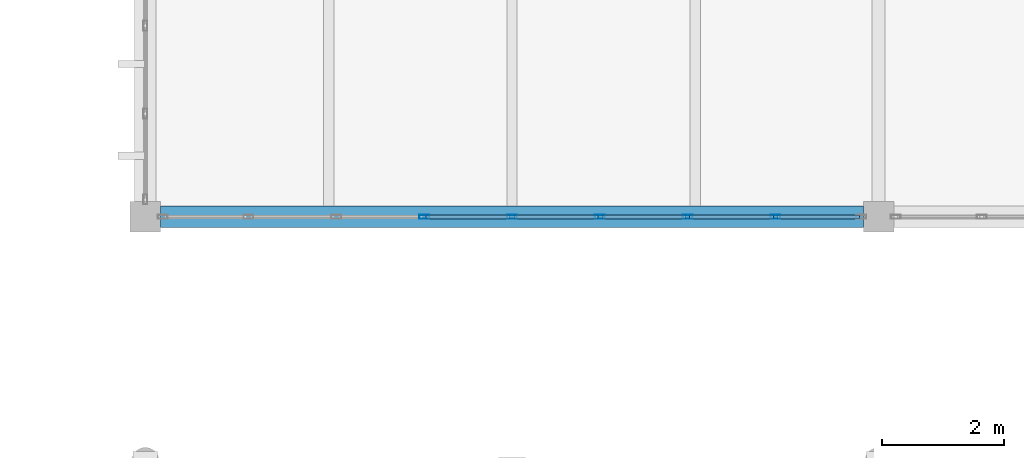
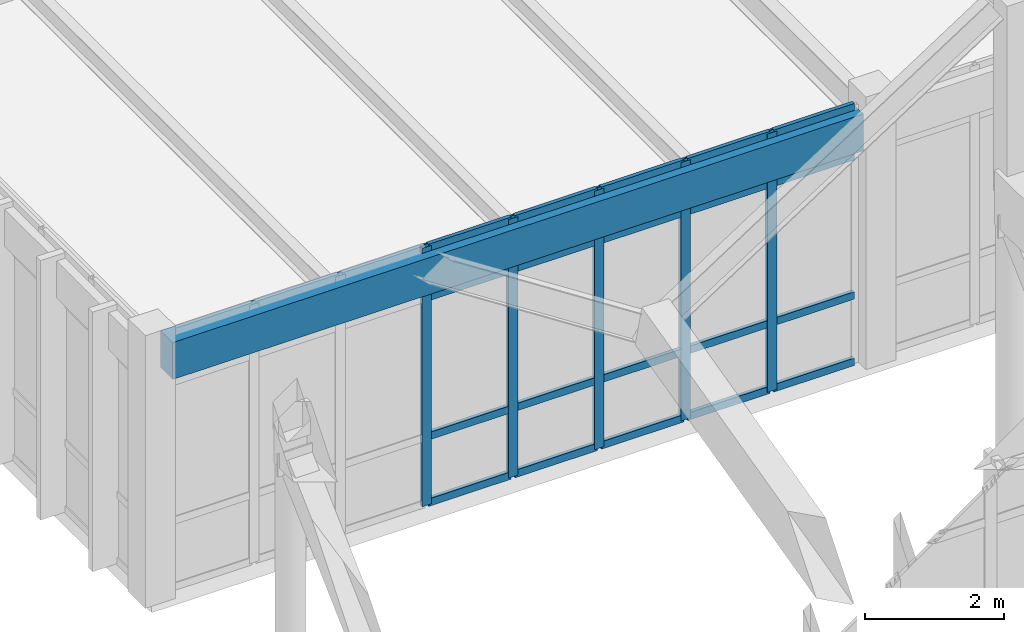
# One storey, part 90 of 236: 25 members, 1 beam, 1 element without a shape of its own.
"""IFC4 building model written with IfcOpenShell, lengths in metres."""

from ifc_helpers import new_model, si_unit, direction, frame, origin, origin_2d, place, context, subcontext, project, spatial, rectangle, hollow_rectangle, extrude, material, layer, layer_set, material_profile, profile_set, type_object, element, aggregate, save


model = new_model("IFC4")

# Units and contexts
model_context = context("Model", 3, precision=1e-05, world=origin(), true_north=direction((0.0, 1.0)))
body_context = subcontext(model_context, "Body", "Model", "MODEL_VIEW")
ifc_project = project(units=[si_unit("LENGTHUNIT", "METRE"), si_unit("AREAUNIT", "SQUARE_METRE"), si_unit("VOLUMEUNIT", "CUBIC_METRE"), si_unit("PLANEANGLEUNIT", "RADIAN"), si_unit("MASSUNIT", "GRAM", prefix="KILO")], contexts=[model_context])

# Site, building, storey
site_placement = place(None, origin())
site = spatial("IfcSite", under=ifc_project, at=site_placement, CompositionType="ELEMENT")
building_placement = place(site_placement, origin())
building = spatial("IfcBuilding", under=site, at=building_placement, Name="Pandanus Reach Market Hall", CompositionType="ELEMENT")
storey_placement = place(building_placement, frame((0.0, 0.0, 5.39990234375)))
storey = spatial("IfcBuildingStorey", under=building, at=storey_placement, Name="L01", CompositionType="ELEMENT", Elevation=5.39990234375)

# Beam
ifc_material_1 = material(Name="Concrete N40 (40 MPa)", Category="concrete")
ifc_material_profile_1 = material_profile(ifc_material_1, rectangle(XDim=0.35009765625, YDim=0.64990234375, at=origin_2d()), Name="RC350x650", Category="LoadBearing")
ifc_profile_set_1 = profile_set([ifc_material_profile_1], Name="Concrete N40 (40 MPa)")
beam_type = type_object("IfcBeamType", Name="BM-RC350-E", PredefinedType="SPANDREL", material=ifc_profile_set_1)
beam_placement = place(storey_placement, frame((60.248046875, 96.0, 4.135009765625), z_axis=(1.0, 0.0, 0.0), x_axis=(0.0, 1.0, 0.0)))
element("IfcBeam", 1, at=beam_placement, inside=storey, type_object=beam_type, Name="Framing beam BM-RC350-E L01.848", PredefinedType="SPANDREL", context=body_context, shape_type="SweptSolid", body=[
    extrude(rectangle(XDim=0.35009765625, YDim=0.64990234375, at=origin_2d()), origin(), (0.0, 0.0, 1.0), 11.50390625),
])

# Curtain wall, members
ifc_material_2 = material(Name="Bronze anodised aluminium and low-E glass", Category="aluminium")
ifc_layer = layer(ifc_material_2, 0.159912109375, Name="CW-38")
ifc_layer_set = layer_set([ifc_layer], Name="Bronze anodised aluminium and low-E glass")
curtain_wall_type = type_object("IfcCurtainWallType", Name="CW-38", PredefinedType="NOTDEFINED", material=ifc_layer_set)
curtain_wall_placement = place(storey_placement, origin())
curtain_wall = element("IfcCurtainWall", 2, at=curtain_wall_placement, inside=storey, type_object=curtain_wall_type, Name="Glazed curtain wall CW-38 CW-0135", PredefinedType="NOTDEFINED")
ifc_material_3 = material(Name="Bronze anodised aluminium", Category="aluminium")
ifc_material_profile_2 = material_profile(ifc_material_3, hollow_rectangle(XDim=0.06494140625, YDim=0.159912109375, WallThickness=0.00390625, at=origin_2d()), Name="ALU65x160", Category="LoadBearing")
ifc_profile_set_2 = profile_set([ifc_material_profile_2], Name="Bronze anodised aluminium")
member_type_1 = type_object("IfcMemberType", Name="CW-M1", PredefinedType="MULLION", material=ifc_profile_set_2)
member_1_placement = place(storey_placement, frame((64.5625, 96.0, 0.0), z_axis=(0.0, 0.0, 1.0), x_axis=(0.0, 1.0, 0.0)))
member_1 = element("IfcMember", 3, at=member_1_placement, type_object=member_type_1, Name="CW-38 mullion 4", PredefinedType="MULLION", context=body_context, shape_type="SweptSolid", body=[
    extrude(hollow_rectangle(XDim=0.06494140625, YDim=0.159912109375, WallThickness=0.00390625, at=origin_2d()), origin(), (0.0, 0.0, 1.0), 4.550048828125),
])
member_2_placement = place(storey_placement, frame((66.0, 96.0, 0.0), z_axis=(0.0, 0.0, 1.0), x_axis=(0.0, 1.0, 0.0)))
member_2 = element("IfcMember", 4, at=member_2_placement, type_object=member_type_1, Name="CW-38 mullion 5", PredefinedType="MULLION", context=body_context, shape_type="SweptSolid", body=[
    extrude(hollow_rectangle(XDim=0.06494140625, YDim=0.159912109375, WallThickness=0.00390625, at=origin_2d()), origin(), (0.0, 0.0, 1.0), 4.550048828125),
])
member_3_placement = place(storey_placement, frame((67.4375, 96.0, 0.0), z_axis=(0.0, 0.0, 1.0), x_axis=(0.0, 1.0, 0.0)))
member_3 = element("IfcMember", 5, at=member_3_placement, type_object=member_type_1, Name="CW-38 mullion 6", PredefinedType="MULLION", context=body_context, shape_type="SweptSolid", body=[
    extrude(hollow_rectangle(XDim=0.06494140625, YDim=0.159912109375, WallThickness=0.00390625, at=origin_2d()), origin(), (0.0, 0.0, 1.0), 4.550048828125),
])
member_4_placement = place(storey_placement, frame((68.875, 96.0, 0.0), z_axis=(0.0, 0.0, 1.0), x_axis=(0.0, 1.0, 0.0)))
member_4 = element("IfcMember", 6, at=member_4_placement, type_object=member_type_1, Name="CW-38 mullion 7", PredefinedType="MULLION", context=body_context, shape_type="SweptSolid", body=[
    extrude(hollow_rectangle(XDim=0.06494140625, YDim=0.159912109375, WallThickness=0.00390625, at=origin_2d()), origin(), (0.0, 0.0, 1.0), 4.550048828125),
])
member_5_placement = place(storey_placement, frame((70.3125, 96.0, 0.0), z_axis=(0.0, 0.0, 1.0), x_axis=(0.0, 1.0, 0.0)))
member_5 = element("IfcMember", 7, at=member_5_placement, type_object=member_type_1, Name="CW-38 mullion 8", PredefinedType="MULLION", context=body_context, shape_type="SweptSolid", body=[
    extrude(hollow_rectangle(XDim=0.06494140625, YDim=0.159912109375, WallThickness=0.00390625, at=origin_2d()), origin(), (0.0, 0.0, 1.0), 4.550048828125),
])
ifc_material_profile_3 = material_profile(ifc_material_3, hollow_rectangle(XDim=0.06494140625, YDim=0.1298828125, WallThickness=0.00390625, at=origin_2d()), Name="ALU65x130", Category="LoadBearing")
ifc_profile_set_3 = profile_set([ifc_material_profile_3], Name="Bronze anodised aluminium")
member_type_2 = type_object("IfcMemberType", Name="CW-T1", PredefinedType="USERDEFINED", material=ifc_profile_set_3)
member_6_placement = place(storey_placement, frame((64.594970703125, 96.0, 0.03271484375), z_axis=(1.0, 0.0, 0.0), x_axis=(0.0, 1.0, 0.0)))
member_6 = element("IfcMember", 8, at=member_6_placement, type_object=member_type_2, Name="CW-38 transom 4.1", ObjectType="TRANSOM", PredefinedType="USERDEFINED", context=body_context, shape_type="SweptSolid", body=[
    extrude(hollow_rectangle(XDim=0.06494140625, YDim=0.1298828125, WallThickness=0.00390625, at=origin_2d()), origin(), (0.0, 0.0, 1.0), 1.37255859375),
])
member_7_placement = place(storey_placement, frame((64.594970703125, 96.0, 1.2001953125), z_axis=(1.0, 0.0, 0.0), x_axis=(0.0, 1.0, 0.0)))
member_7 = element("IfcMember", 9, at=member_7_placement, type_object=member_type_2, Name="CW-38 transom 4.2", ObjectType="TRANSOM", PredefinedType="USERDEFINED", context=body_context, shape_type="SweptSolid", body=[
    extrude(hollow_rectangle(XDim=0.06494140625, YDim=0.1298828125, WallThickness=0.00390625, at=origin_2d()), origin(), (0.0, 0.0, 1.0), 1.37255859375),
])
member_8_placement = place(storey_placement, frame((64.594970703125, 96.0, 3.650146484375), z_axis=(1.0, 0.0, 0.0), x_axis=(0.0, 1.0, 0.0)))
member_8 = element("IfcMember", 10, at=member_8_placement, type_object=member_type_2, Name="CW-38 transom 4.3", ObjectType="TRANSOM", PredefinedType="USERDEFINED", context=body_context, shape_type="SweptSolid", body=[
    extrude(hollow_rectangle(XDim=0.06494140625, YDim=0.1298828125, WallThickness=0.00390625, at=origin_2d()), origin(), (0.0, 0.0, 1.0), 1.37255859375),
])
member_9_placement = place(storey_placement, frame((64.594970703125, 96.0, 4.517578125), z_axis=(1.0, 0.0, 0.0), x_axis=(0.0, 1.0, 0.0)))
member_9 = element("IfcMember", 11, at=member_9_placement, type_object=member_type_2, Name="CW-38 transom 4.4", ObjectType="TRANSOM", PredefinedType="USERDEFINED", context=body_context, shape_type="SweptSolid", body=[
    extrude(hollow_rectangle(XDim=0.06494140625, YDim=0.1298828125, WallThickness=0.00390625, at=origin_2d()), origin(), (0.0, 0.0, 1.0), 1.37255859375),
])
member_10_placement = place(storey_placement, frame((66.032470703125, 96.0, 0.03271484375), z_axis=(1.0, 0.0, 0.0), x_axis=(0.0, 1.0, 0.0)))
member_10 = element("IfcMember", 12, at=member_10_placement, type_object=member_type_2, Name="CW-38 transom 5.1", ObjectType="TRANSOM", PredefinedType="USERDEFINED", context=body_context, shape_type="SweptSolid", body=[
    extrude(hollow_rectangle(XDim=0.06494140625, YDim=0.1298828125, WallThickness=0.00390625, at=origin_2d()), origin(), (0.0, 0.0, 1.0), 1.37255859375),
])
member_11_placement = place(storey_placement, frame((66.032470703125, 96.0, 1.2001953125), z_axis=(1.0, 0.0, 0.0), x_axis=(0.0, 1.0, 0.0)))
member_11 = element("IfcMember", 13, at=member_11_placement, type_object=member_type_2, Name="CW-38 transom 5.2", ObjectType="TRANSOM", PredefinedType="USERDEFINED", context=body_context, shape_type="SweptSolid", body=[
    extrude(hollow_rectangle(XDim=0.06494140625, YDim=0.1298828125, WallThickness=0.00390625, at=origin_2d()), origin(), (0.0, 0.0, 1.0), 1.37255859375),
])
member_12_placement = place(storey_placement, frame((66.032470703125, 96.0, 3.650146484375), z_axis=(1.0, 0.0, 0.0), x_axis=(0.0, 1.0, 0.0)))
member_12 = element("IfcMember", 14, at=member_12_placement, type_object=member_type_2, Name="CW-38 transom 5.3", ObjectType="TRANSOM", PredefinedType="USERDEFINED", context=body_context, shape_type="SweptSolid", body=[
    extrude(hollow_rectangle(XDim=0.06494140625, YDim=0.1298828125, WallThickness=0.00390625, at=origin_2d()), origin(), (0.0, 0.0, 1.0), 1.37255859375),
])
member_13_placement = place(storey_placement, frame((66.032470703125, 96.0, 4.517578125), z_axis=(1.0, 0.0, 0.0), x_axis=(0.0, 1.0, 0.0)))
member_13 = element("IfcMember", 15, at=member_13_placement, type_object=member_type_2, Name="CW-38 transom 5.4", ObjectType="TRANSOM", PredefinedType="USERDEFINED", context=body_context, shape_type="SweptSolid", body=[
    extrude(hollow_rectangle(XDim=0.06494140625, YDim=0.1298828125, WallThickness=0.00390625, at=origin_2d()), origin(), (0.0, 0.0, 1.0), 1.37255859375),
])
member_14_placement = place(storey_placement, frame((67.469970703125, 96.0, 0.03271484375), z_axis=(1.0, 0.0, 0.0), x_axis=(0.0, 1.0, 0.0)))
member_14 = element("IfcMember", 16, at=member_14_placement, type_object=member_type_2, Name="CW-38 transom 6.1", ObjectType="TRANSOM", PredefinedType="USERDEFINED", context=body_context, shape_type="SweptSolid", body=[
    extrude(hollow_rectangle(XDim=0.06494140625, YDim=0.1298828125, WallThickness=0.00390625, at=origin_2d()), origin(), (0.0, 0.0, 1.0), 1.37255859375),
])
member_15_placement = place(storey_placement, frame((67.469970703125, 96.0, 1.2001953125), z_axis=(1.0, 0.0, 0.0), x_axis=(0.0, 1.0, 0.0)))
member_15 = element("IfcMember", 17, at=member_15_placement, type_object=member_type_2, Name="CW-38 transom 6.2", ObjectType="TRANSOM", PredefinedType="USERDEFINED", context=body_context, shape_type="SweptSolid", body=[
    extrude(hollow_rectangle(XDim=0.06494140625, YDim=0.1298828125, WallThickness=0.00390625, at=origin_2d()), origin(), (0.0, 0.0, 1.0), 1.37255859375),
])
member_16_placement = place(storey_placement, frame((67.469970703125, 96.0, 3.650146484375), z_axis=(1.0, 0.0, 0.0), x_axis=(0.0, 1.0, 0.0)))
member_16 = element("IfcMember", 18, at=member_16_placement, type_object=member_type_2, Name="CW-38 transom 6.3", ObjectType="TRANSOM", PredefinedType="USERDEFINED", context=body_context, shape_type="SweptSolid", body=[
    extrude(hollow_rectangle(XDim=0.06494140625, YDim=0.1298828125, WallThickness=0.00390625, at=origin_2d()), origin(), (0.0, 0.0, 1.0), 1.37255859375),
])
member_17_placement = place(storey_placement, frame((67.469970703125, 96.0, 4.517578125), z_axis=(1.0, 0.0, 0.0), x_axis=(0.0, 1.0, 0.0)))
member_17 = element("IfcMember", 19, at=member_17_placement, type_object=member_type_2, Name="CW-38 transom 6.4", ObjectType="TRANSOM", PredefinedType="USERDEFINED", context=body_context, shape_type="SweptSolid", body=[
    extrude(hollow_rectangle(XDim=0.06494140625, YDim=0.1298828125, WallThickness=0.00390625, at=origin_2d()), origin(), (0.0, 0.0, 1.0), 1.37255859375),
])
member_18_placement = place(storey_placement, frame((68.907470703125, 96.0, 0.03271484375), z_axis=(1.0, 0.0, 0.0), x_axis=(0.0, 1.0, 0.0)))
member_18 = element("IfcMember", 20, at=member_18_placement, type_object=member_type_2, Name="CW-38 transom 7.1", ObjectType="TRANSOM", PredefinedType="USERDEFINED", context=body_context, shape_type="SweptSolid", body=[
    extrude(hollow_rectangle(XDim=0.06494140625, YDim=0.1298828125, WallThickness=0.00390625, at=origin_2d()), origin(), (0.0, 0.0, 1.0), 1.37255859375),
])
member_19_placement = place(storey_placement, frame((68.907470703125, 96.0, 1.2001953125), z_axis=(1.0, 0.0, 0.0), x_axis=(0.0, 1.0, 0.0)))
member_19 = element("IfcMember", 21, at=member_19_placement, type_object=member_type_2, Name="CW-38 transom 7.2", ObjectType="TRANSOM", PredefinedType="USERDEFINED", context=body_context, shape_type="SweptSolid", body=[
    extrude(hollow_rectangle(XDim=0.06494140625, YDim=0.1298828125, WallThickness=0.00390625, at=origin_2d()), origin(), (0.0, 0.0, 1.0), 1.37255859375),
])
member_20_placement = place(storey_placement, frame((68.907470703125, 96.0, 3.650146484375), z_axis=(1.0, 0.0, 0.0), x_axis=(0.0, 1.0, 0.0)))
member_20 = element("IfcMember", 22, at=member_20_placement, type_object=member_type_2, Name="CW-38 transom 7.3", ObjectType="TRANSOM", PredefinedType="USERDEFINED", context=body_context, shape_type="SweptSolid", body=[
    extrude(hollow_rectangle(XDim=0.06494140625, YDim=0.1298828125, WallThickness=0.00390625, at=origin_2d()), origin(), (0.0, 0.0, 1.0), 1.37255859375),
])
member_21_placement = place(storey_placement, frame((68.907470703125, 96.0, 4.517578125), z_axis=(1.0, 0.0, 0.0), x_axis=(0.0, 1.0, 0.0)))
member_21 = element("IfcMember", 23, at=member_21_placement, type_object=member_type_2, Name="CW-38 transom 7.4", ObjectType="TRANSOM", PredefinedType="USERDEFINED", context=body_context, shape_type="SweptSolid", body=[
    extrude(hollow_rectangle(XDim=0.06494140625, YDim=0.1298828125, WallThickness=0.00390625, at=origin_2d()), origin(), (0.0, 0.0, 1.0), 1.37255859375),
])
member_22_placement = place(storey_placement, frame((70.344970703125, 96.0, 0.03271484375), z_axis=(1.0, 0.0, 0.0), x_axis=(0.0, 1.0, 0.0)))
member_22 = element("IfcMember", 24, at=member_22_placement, type_object=member_type_2, Name="CW-38 transom 8.1", ObjectType="TRANSOM", PredefinedType="USERDEFINED", context=body_context, shape_type="SweptSolid", body=[
    extrude(hollow_rectangle(XDim=0.06494140625, YDim=0.1298828125, WallThickness=0.00390625, at=origin_2d()), origin(), (0.0, 0.0, 1.0), 1.340087890625),
])
member_23_placement = place(storey_placement, frame((70.344970703125, 96.0, 1.2001953125), z_axis=(1.0, 0.0, 0.0), x_axis=(0.0, 1.0, 0.0)))
member_23 = element("IfcMember", 25, at=member_23_placement, type_object=member_type_2, Name="CW-38 transom 8.2", ObjectType="TRANSOM", PredefinedType="USERDEFINED", context=body_context, shape_type="SweptSolid", body=[
    extrude(hollow_rectangle(XDim=0.06494140625, YDim=0.1298828125, WallThickness=0.00390625, at=origin_2d()), origin(), (0.0, 0.0, 1.0), 1.340087890625),
])
member_24_placement = place(storey_placement, frame((70.344970703125, 96.0, 3.650146484375), z_axis=(1.0, 0.0, 0.0), x_axis=(0.0, 1.0, 0.0)))
member_24 = element("IfcMember", 26, at=member_24_placement, type_object=member_type_2, Name="CW-38 transom 8.3", ObjectType="TRANSOM", PredefinedType="USERDEFINED", context=body_context, shape_type="SweptSolid", body=[
    extrude(hollow_rectangle(XDim=0.06494140625, YDim=0.1298828125, WallThickness=0.00390625, at=origin_2d()), origin(), (0.0, 0.0, 1.0), 1.340087890625),
])
member_25_placement = place(storey_placement, frame((70.344970703125, 96.0, 4.517578125), z_axis=(1.0, 0.0, 0.0), x_axis=(0.0, 1.0, 0.0)))
member_25 = element("IfcMember", 27, at=member_25_placement, type_object=member_type_2, Name="CW-38 transom 8.4", ObjectType="TRANSOM", PredefinedType="USERDEFINED", context=body_context, shape_type="SweptSolid", body=[
    extrude(hollow_rectangle(XDim=0.06494140625, YDim=0.1298828125, WallThickness=0.00390625, at=origin_2d()), origin(), (0.0, 0.0, 1.0), 1.340087890625),
])
aggregate(curtain_wall, [member_1, member_2, member_3, member_4, member_5, member_6, member_7, member_8, member_9, member_10, member_11, member_12, member_13, member_14, member_15, member_16, member_17, member_18, member_19, member_20, member_21, member_22, member_23, member_24, member_25])

save(model, "model.ifc")
